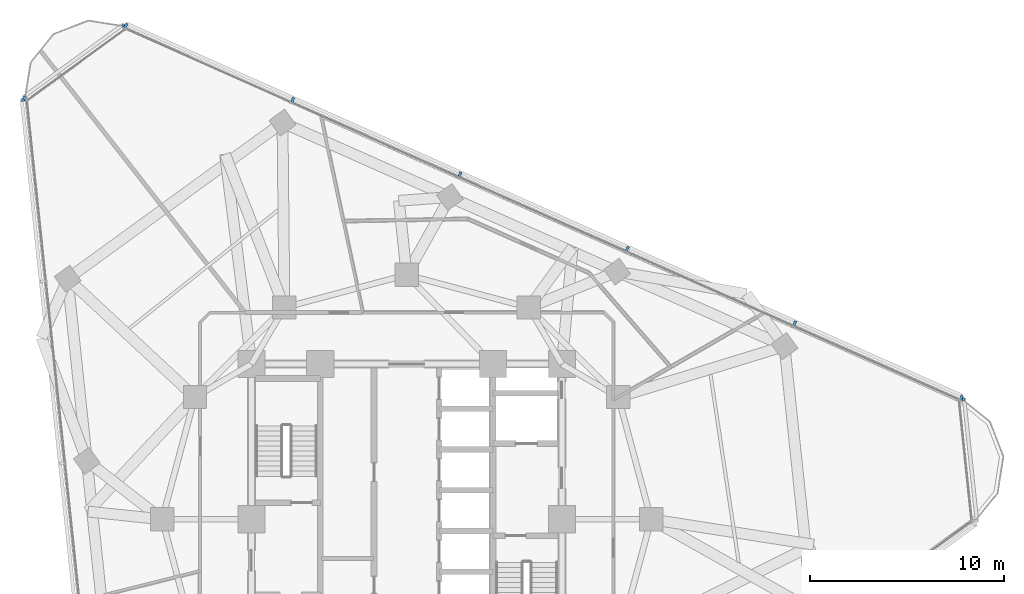
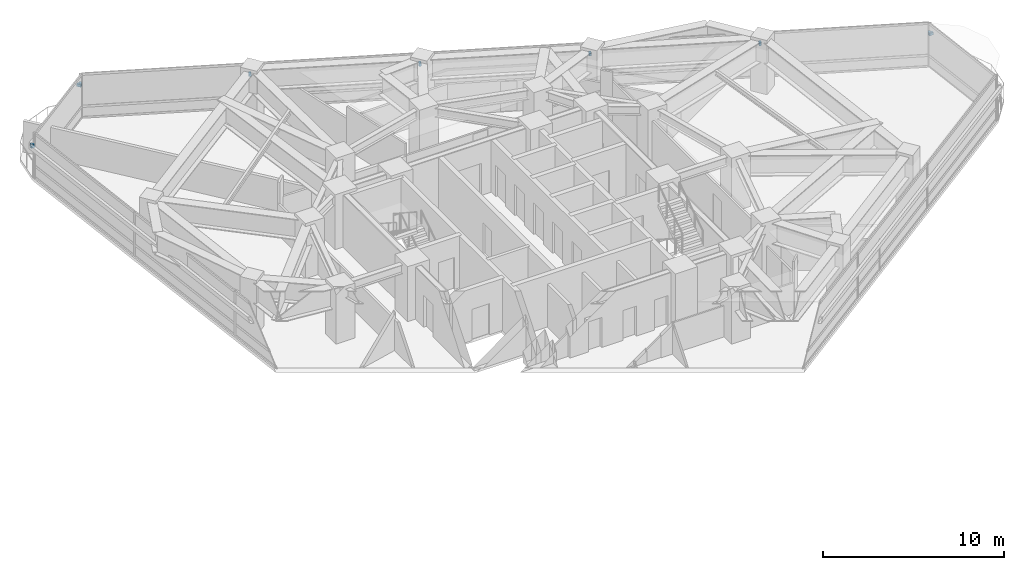
# One storey, part 11 of 14: 10 discrete accessories.
"""IFC4 building model written with IfcOpenShell, lengths in metres."""

from ifc_helpers import new_model, si_unit, direction, frame, origin, origin_2d, place, context, subcontext, project, spatial, rectangle, extrude, material, type_object, element, save


model = new_model("IFC4")

# Units and contexts
model_context = context("Model", 3, precision=1e-05, world=origin(), true_north=direction((0.0, 1.0)))
body_context = subcontext(model_context, "Body", "Model", "MODEL_VIEW")
ifc_project = project(units=[si_unit("LENGTHUNIT", "METRE"), si_unit("AREAUNIT", "SQUARE_METRE"), si_unit("VOLUMEUNIT", "CUBIC_METRE"), si_unit("PLANEANGLEUNIT", "RADIAN"), si_unit("MASSUNIT", "GRAM", prefix="KILO")], contexts=[model_context])

# Site, building, storey
site_placement = place(None, origin())
site = spatial("IfcSite", under=ifc_project, at=site_placement, CompositionType="ELEMENT")
building_placement = place(site_placement, origin())
building = spatial("IfcBuilding", under=site, at=building_placement, Name="Terralouvre Media Tower", CompositionType="ELEMENT")
storey_placement = place(building_placement, frame((0.0, 0.0, 180.5)))
storey = spatial("IfcBuildingStorey", under=building, at=storey_placement, Name="L46", CompositionType="ELEMENT", Elevation=180.5)

# Discrete accessories
ifc_material = material(Name="Anodised extruded aluminium 6063-T6", Category="aluminium")
discrete_accessory_type = type_object("IfcDiscreteAccessoryType", Name="Mullion Stand-Off Baguette Fixing Bracket BK-01", PredefinedType="BRACKET", material=ifc_material)
for number, where, z_axis, x_axis, name in (
    (1, (28.588623046875, 6.280517578125, 2.07421875), (0.0, 0.0, 1.0), (-0.913545469547, 0.406736616337, 0.0), "CW-L46-F1 Baguette Outrigger Bracket 1.01"),
    (2, (19.9990234375, 10.104736328125, 2.07421875), (0.0, 0.0, 1.0), (-0.913545469547, 0.406736616337, 0.0), "CW-L46-F1 Baguette Outrigger Bracket 1.02"),
    (3, (11.375, 13.9443359375, 2.07421875), (0.0, 0.0, 1.0), (-0.913545469547, 0.406736616337, 0.0), "CW-L46-F1 Baguette Outrigger Bracket 1.03"),
    (4, (2.751220703125, 17.783935546875, 2.07421875), (0.0, 0.0, 1.0), (-0.913545469547, 0.406736616337, 0.0), "CW-L46-F1 Baguette Outrigger Bracket 1.04"),
    (5, (-5.87255859375, 21.62353515625, 2.07421875), (0.0, 0.0, 1.0), (-0.913545469547, 0.406736616337, 0.0), "CW-L46-F1 Baguette Outrigger Bracket 1.05"),
    (6, (-14.462158203125, 25.44775390625, 2.07421875), (0.0, 0.0, 1.0), (-0.913545469547, 0.406736616337, 0.0), "CW-L46-F1 Baguette Outrigger Bracket 1.06"),
    (7, (-19.7333984375, 21.6181640625, 2.07421875), (0.0, 0.0, 1.0), (0.104528376236, -0.994521904516, 0.0), "CW-L46-F2 Baguette Outrigger Bracket 1.01"),
    (8, (28.63037109375, 6.193359375, 2.07421875), (0.0, 0.0, 1.0), (-0.10452850319, 0.994521891172, 0.0), "CW-L46-C1 Baguette Outrigger Bracket 1.02"),
    (9, (-14.554931640625, 25.420654296875, 2.07421875), (0.0, 0.0, 1.0), (-0.809017438344, -0.587784641221, 0.0), "CW-L46-C2 Baguette Outrigger Bracket 1.01"),
    (10, (-19.678955078125, 21.697998046875, 2.07421875), (0.0, 0.0, 1.0), (-0.809017438344, -0.587784641221, 0.0), "CW-L46-C2 Baguette Outrigger Bracket 1.02"),
):
    element("IfcDiscreteAccessory", number, at=place(storey_placement, frame(where, z_axis=z_axis, x_axis=x_axis)), inside=storey, type_object=discrete_accessory_type, Name=name, PredefinedType="BRACKET", context=body_context, shape_type="SweptSolid", body=[
        extrude(rectangle(XDim=0.139892578125, YDim=0.239990234375, at=origin_2d()), origin(), (0.0, 0.0, 1.0), 0.179931640625),
    ])

save(model, "model.ifc")
